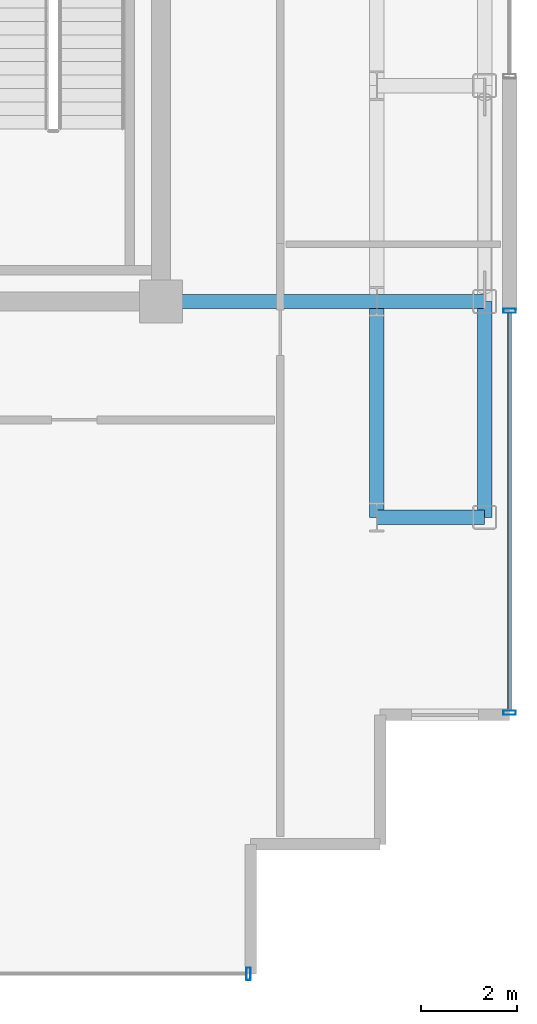
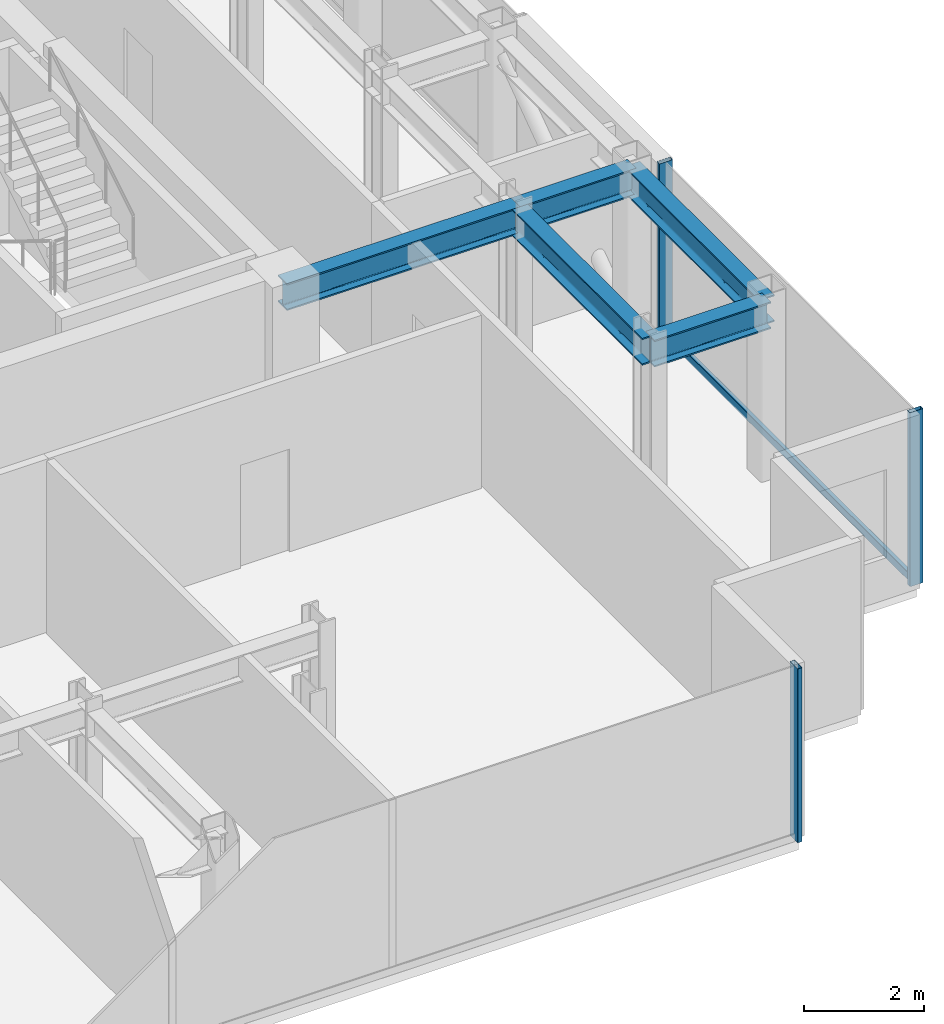
# One storey, part 5 of 16: 5 beams, 4 members, 2 elements without a shape of their own.
"""IFC4 building model written with IfcOpenShell, lengths in metres."""

from ifc_helpers import new_model, si_unit, direction, frame, origin, origin_2d, place, context, subcontext, project, spatial, hollow_rectangle, i_section, extrude, source, transform, mapped, material, layer, layer_set, material_profile, profile_set, type_object, element, aggregate, save


model = new_model("IFC4")

# Units and contexts
model_context = context("Model", 3, precision=1e-05, world=origin(), true_north=direction((0.0, 1.0)))
body_context = subcontext(model_context, "Body", "Model", "MODEL_VIEW")
ifc_project = project(units=[si_unit("LENGTHUNIT", "METRE"), si_unit("AREAUNIT", "SQUARE_METRE"), si_unit("VOLUMEUNIT", "CUBIC_METRE"), si_unit("PLANEANGLEUNIT", "RADIAN"), si_unit("MASSUNIT", "GRAM", prefix="KILO")], contexts=[model_context])

# Site, building, storey
site_placement = place(None, origin())
site = spatial("IfcSite", under=ifc_project, at=site_placement, CompositionType="ELEMENT")
building_placement = place(site_placement, origin())
building = spatial("IfcBuilding", under=site, at=building_placement, Name="Nefas-Gora Pilgrimage Tower", CompositionType="ELEMENT")
storey_placement = place(building_placement, frame((0.0, 0.0, 322.39990234375)))
storey = spatial("IfcBuildingStorey", under=building, at=storey_placement, Name="L81", CompositionType="ELEMENT", Elevation=322.39990234375)

# Beams
ifc_material_1 = material(Name="Steel S355", Category="steel")
ifc_material_profile_1 = material_profile(ifc_material_1, i_section(OverallWidth=0.300048828125, OverallDepth=0.550048828125, WebThickness=0.014892578125, FlangeThickness=0.029052734375, FilletRadius=0.027099609375, at=origin_2d()), Name="HEB 550")
ifc_profile_set_1 = profile_set([ifc_material_profile_1], Name="Steel S355")
beam_type_1 = type_object("IfcBeamType", Name="BM-SPN-HEB400", PredefinedType="SPANDREL", material=ifc_profile_set_1)
shared_shape_1 = source(origin(), body_context, "Body", "SweptSolid", [
    extrude(i_section(OverallWidth=0.300048828125, OverallDepth=0.550048828125, WebThickness=0.014892578125, FlangeThickness=0.029052734375, FilletRadius=0.027099609375, at=origin_2d()), origin(), (0.0, 0.0, 1.0), 4.5),
])
beam_placement = place(storey_placement, frame((18.0, -13.5, 3.275146484375), z_axis=(0.0, 1.0, 0.0), x_axis=(-1.0, 0.0, 0.0)))
element("IfcBeam", 1, at=beam_placement, inside=storey, type_object=beam_type_1, Name="L81 SP-04 beam", PredefinedType="SPANDREL", context=body_context, shape_type="MappedRepresentation", body=[
    mapped(shared_shape_1, transform((0.0, 0.0, 0.0), x_axis=(1.0, 0.0, 0.0), y_axis=(0.0, 1.0, 0.0), z_axis=(0.0, 0.0, 1.0), scale=1.0)),
])
ifc_material_profile_2 = material_profile(ifc_material_1, i_section(OverallWidth=0.300048828125, OverallDepth=0.550048828125, WebThickness=0.014892578125, FlangeThickness=0.029052734375, FilletRadius=0.027099609375, at=origin_2d()), Name="HEB 550")
ifc_profile_set_2 = profile_set([ifc_material_profile_2], Name="Steel S355")
beam_type_2 = type_object("IfcBeamType", Name="BM-GIR-HEB550", PredefinedType="BEAM", material=ifc_profile_set_2)
shared_shape_2 = source(origin(), body_context, "Body", "SweptSolid", [
    extrude(i_section(OverallWidth=0.300048828125, OverallDepth=0.550048828125, WebThickness=0.014892578125, FlangeThickness=0.029052734375, FilletRadius=0.027099609375, at=origin_2d()), origin(), (0.0, 0.0, 1.0), 4.5),
])
for number, where, z_axis, x_axis, name in (
    (2, (11.25, -9.0, 3.275146484375), (1.0, 0.0, 0.0), (0.0, 1.0, 0.0), "L81 G-05 beam"),
    (3, (15.75, -13.5, 3.275146484375), (0.0, 1.0, 0.0), (-1.0, 0.0, 0.0), "L81 G-05 beam"),
):
    element("IfcBeam", number, at=place(storey_placement, frame(where, z_axis=z_axis, x_axis=x_axis)), inside=storey, type_object=beam_type_2, Name=name, PredefinedType="BEAM", context=body_context, shape_type="MappedRepresentation", body=[
        mapped(shared_shape_2, transform((0.0, 0.0, 0.0), x_axis=(1.0, 0.0, 0.0), y_axis=(0.0, 1.0, 0.0), z_axis=(0.0, 0.0, 1.0), scale=1.0)),
    ])
shared_shape_3 = source(origin(), body_context, "Body", "SweptSolid", [
    extrude(i_section(OverallWidth=0.300048828125, OverallDepth=0.550048828125, WebThickness=0.014892578125, FlangeThickness=0.029052734375, FilletRadius=0.027099609375, at=origin_2d()), origin(), (0.0, 0.0, 1.0), 2.25),
])
for number, where, z_axis, x_axis, name in (
    (4, (15.75, -13.5, 3.275146484375), (1.0, 0.0, 0.0), (0.0, 1.0, 0.0), "L81 G-05 beam"),
    (5, (15.75, -9.0, 3.275146484375), (1.0, 0.0, 0.0), (0.0, 1.0, 0.0), "L81 G-05 beam"),
):
    element("IfcBeam", number, at=place(storey_placement, frame(where, z_axis=z_axis, x_axis=x_axis)), inside=storey, type_object=beam_type_2, Name=name, PredefinedType="BEAM", context=body_context, shape_type="MappedRepresentation", body=[
        mapped(shared_shape_3, transform((0.0, 0.0, 0.0), x_axis=(1.0, 0.0, 0.0), y_axis=(0.0, 1.0, 0.0), z_axis=(0.0, 0.0, 1.0), scale=1.0)),
    ])

# Curtain wall, members
ifc_material_2 = material(Name="Dark ceramic-fritted solar-control aluminium-glass curtain wall", Category="aluminium")
ifc_layer = layer(ifc_material_2, 0.219970703125)
ifc_layer_set = layer_set([ifc_layer], Name="Dark ceramic-fritted solar-control aluminium-glass curtain wall")
curtain_wall_type = type_object("IfcCurtainWallType", Name="CW-SYS-4", PredefinedType="NOTDEFINED", material=ifc_layer_set)
curtain_wall_1_placement = place(storey_placement, origin())
curtain_wall_1 = element("IfcCurtainWall", 6, at=curtain_wall_1_placement, inside=storey, type_object=curtain_wall_type, Name="L81 Unitised Curtain Wall CW4", PredefinedType="NOTDEFINED")
ifc_material_3 = material(Name="Anodised architectural aluminium", Category="aluminium")
ifc_material_profile_3 = material_profile(ifc_material_3, hollow_rectangle(XDim=0.080078125, YDim=0.159912109375, WallThickness=0.00439453125, InnerFilletRadius=0.00439453125, OuterFilletRadius=0.009033203125, at=origin_2d()), Name="ALU TRANSOM 80x160")
ifc_profile_set_3 = profile_set([ifc_material_profile_3], Name="Anodised architectural aluminium")
member_type_1 = type_object("IfcMemberType", Name="CWM-TRN-4", PredefinedType="USERDEFINED", material=ifc_profile_set_3)
shared_shape_4 = source(origin(), body_context, "Body", "SweptSolid", [
    extrude(hollow_rectangle(XDim=0.080078125, YDim=0.159912109375, WallThickness=0.00439453125, InnerFilletRadius=0.00439453125, OuterFilletRadius=0.009033203125, at=origin_2d()), origin(), (0.0, 0.0, 1.0), 8.2900390625),
])
member_1_placement = place(storey_placement, frame((18.52001953125, -17.530029296875, 0.050048828125), z_axis=(0.0, 1.0, 0.0), x_axis=(-1.0, 0.0, 0.0)))
member_1 = element("IfcMember", 7, at=member_1_placement, type_object=member_type_1, Name="CW4 Spandrel Transom", ObjectType="TRANSOM", PredefinedType="USERDEFINED", context=body_context, shape_type="MappedRepresentation", body=[
    mapped(shared_shape_4, transform((0.0, 0.0, 0.0), x_axis=(1.0, 0.0, 0.0), y_axis=(0.0, 1.0, 0.0), z_axis=(0.0, 0.0, 1.0), scale=1.0)),
])
ifc_material_profile_4 = material_profile(ifc_material_3, hollow_rectangle(XDim=0.090087890625, YDim=0.260009765625, WallThickness=0.006103515625, InnerFilletRadius=0.006103515625, OuterFilletRadius=0.011962890625, at=origin_2d()), Name="ALU MULLION 90x260")
ifc_profile_set_4 = profile_set([ifc_material_profile_4], Name="Anodised architectural aluminium")
member_type_2 = type_object("IfcMemberType", Name="CWM-MUL-4", PredefinedType="MULLION", material=ifc_profile_set_4)
shared_shape_5 = source(origin(), body_context, "Body", "SweptSolid", [
    extrude(hollow_rectangle(XDim=0.090087890625, YDim=0.260009765625, WallThickness=0.006103515625, InnerFilletRadius=0.006103515625, OuterFilletRadius=0.011962890625, at=origin_2d()), origin(), (0.0, 0.0, 1.0), 3.550048828125),
])
member_2_placement = place(storey_placement, frame((18.52001953125, -17.574951171875, 0.0), z_axis=(0.0, 0.0, 1.0), x_axis=(0.0, 1.0, 0.0)))
member_2 = element("IfcMember", 8, at=member_2_placement, type_object=member_type_2, Name="CW4 Mullion 1", PredefinedType="MULLION", context=body_context, shape_type="MappedRepresentation", body=[
    mapped(shared_shape_5, transform((0.0, 0.0, 0.0), x_axis=(1.0, 0.0, 0.0), y_axis=(0.0, 1.0, 0.0), z_axis=(0.0, 0.0, 1.0), scale=1.0)),
])
member_3_placement = place(storey_placement, frame((18.52001953125, -9.195068359375, 0.0), z_axis=(0.0, 0.0, 1.0), x_axis=(0.0, 1.0, 0.0)))
member_3 = element("IfcMember", 9, at=member_3_placement, type_object=member_type_2, Name="CW4 Mullion 2", PredefinedType="MULLION", context=body_context, shape_type="MappedRepresentation", body=[
    mapped(shared_shape_5, transform((0.0, 0.0, 0.0), x_axis=(1.0, 0.0, 0.0), y_axis=(0.0, 1.0, 0.0), z_axis=(0.0, 0.0, 1.0), scale=1.0)),
])
aggregate(curtain_wall_1, [member_2, member_3, member_1])

# Curtain wall, member
curtain_wall_2_placement = place(storey_placement, origin())
curtain_wall_2 = element("IfcCurtainWall", 10, at=curtain_wall_2_placement, inside=storey, type_object=curtain_wall_type, Name="L81 Unitised Curtain Wall CW4", PredefinedType="NOTDEFINED")
member_4_placement = place(storey_placement, frame((13.074951171875, -23.02001953125, 0.0), z_axis=(0.0, 0.0, 1.0), x_axis=(1.0, 0.0, 0.0)))
member_4 = element("IfcMember", 11, at=member_4_placement, type_object=member_type_2, Name="CW4 Mullion 2", PredefinedType="MULLION", context=body_context, shape_type="MappedRepresentation", body=[
    mapped(shared_shape_5, transform((0.0, 0.0, 0.0), x_axis=(1.0, 0.0, 0.0), y_axis=(0.0, 1.0, 0.0), z_axis=(0.0, 0.0, 1.0), scale=1.0)),
])
aggregate(curtain_wall_2, [member_4])

save(model, "model.ifc")
